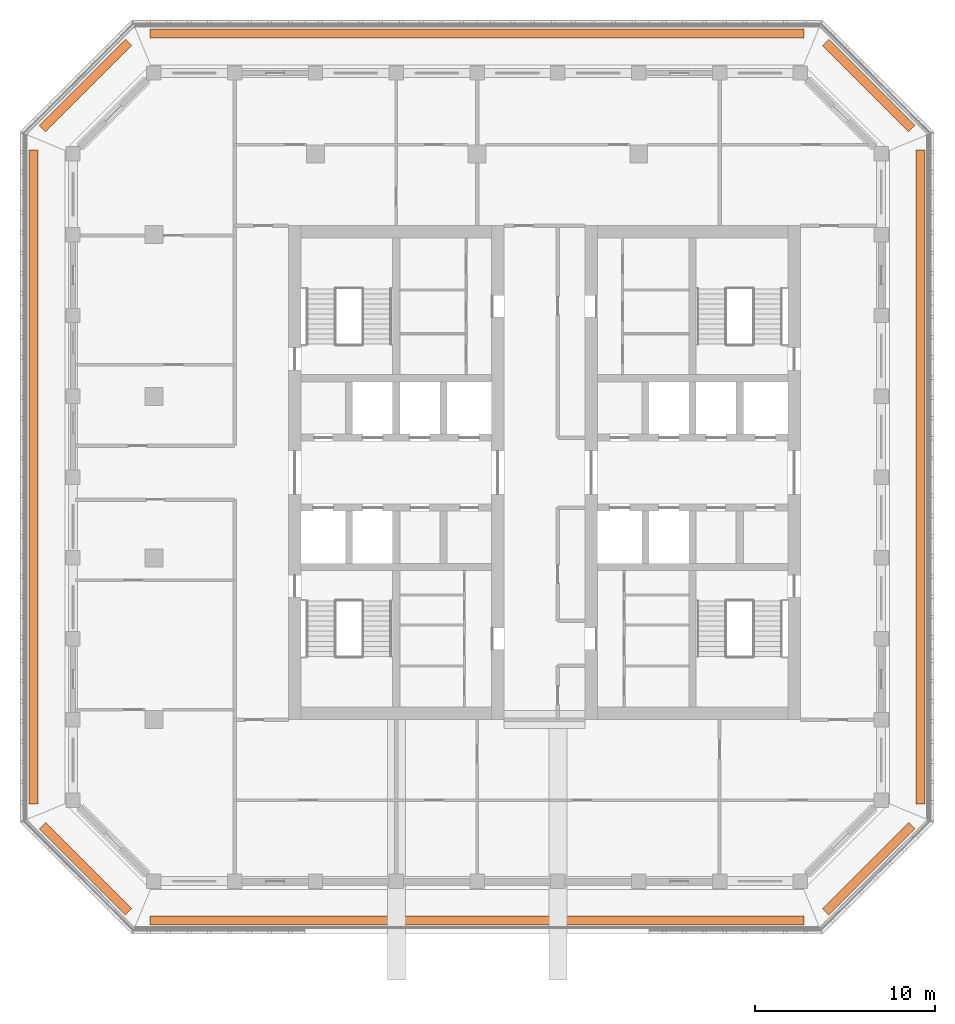
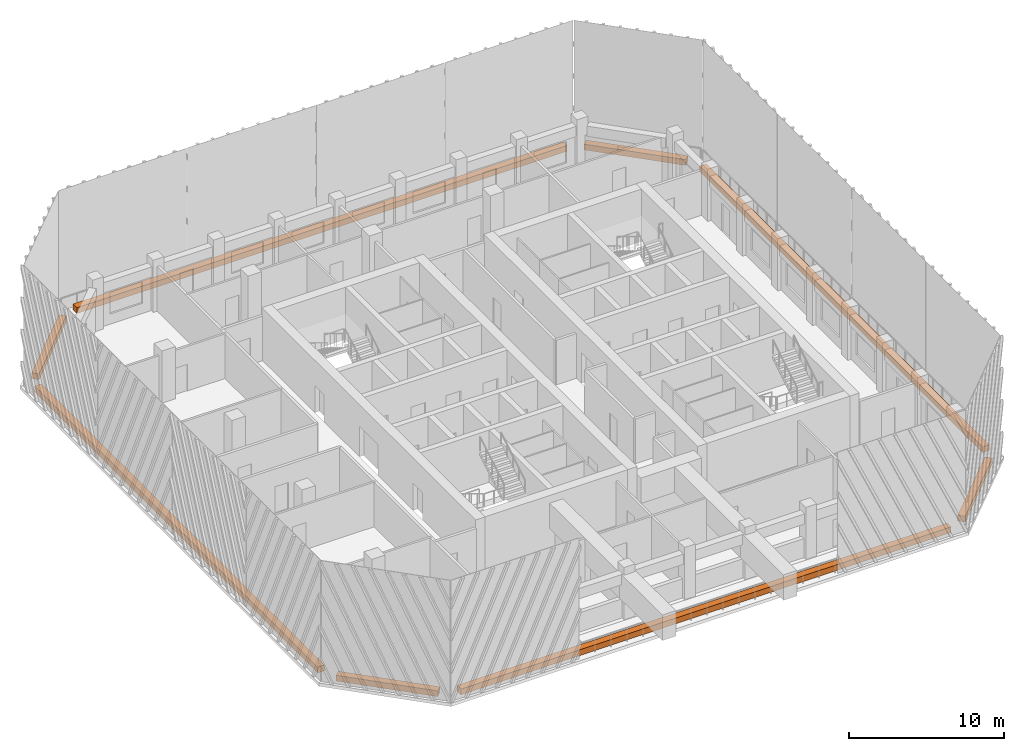
# One storey, part 16 of 16: 8 proxies.
"""IFC4 building model written with IfcOpenShell, lengths in metres."""

from ifc_helpers import new_model, si_unit, direction, frame, origin, origin_2d, place, context, subcontext, project, spatial, rectangle, extrude, material, type_object, element, save


model = new_model("IFC4")

# Units and contexts
model_context = context("Model", 3, precision=1e-05, world=origin(), true_north=direction((0.0, 1.0)))
body_context = subcontext(model_context, "Body", "Model", "MODEL_VIEW")
ifc_project = project(units=[si_unit("LENGTHUNIT", "METRE"), si_unit("AREAUNIT", "SQUARE_METRE"), si_unit("VOLUMEUNIT", "CUBIC_METRE"), si_unit("PLANEANGLEUNIT", "RADIAN"), si_unit("MASSUNIT", "GRAM", prefix="KILO")], contexts=[model_context])

# Site, building, storey
site_placement = place(None, origin())
site = spatial("IfcSite", under=ifc_project, at=site_placement, CompositionType="ELEMENT")
building_placement = place(site_placement, origin())
building = spatial("IfcBuilding", under=site, at=building_placement, Name="Corbel Stack Research Tower", CompositionType="ELEMENT")
storey_placement = place(building_placement, frame((0.0, 0.0, 290.89990234375)))
storey = spatial("IfcBuildingStorey", under=building, at=storey_placement, Name="L66", CompositionType="ELEMENT", Elevation=290.89990234375)

# Proxies
ifc_material = material(Name="Concrete C45/55", Category="concrete")
building_element_proxy_type = type_object("IfcBuildingElementProxyType", Name="Planter box", PredefinedType="USERDEFINED", material=ifc_material)
proxy_1_placement = place(storey_placement, frame((0.0, -20.199951171875, 0.0), z_axis=(0.0, 0.0, 1.0), x_axis=(1.0, 0.0, 0.0)))
element("IfcBuildingElementProxy", 1, at=proxy_1_placement, inside=storey, type_object=building_element_proxy_type, Name="Planter L66 S", ObjectType="PLANTER", PredefinedType="USERDEFINED", context=body_context, shape_type="SweptSolid", body=[
    extrude(rectangle(XDim=36.41064453125, YDim=0.5, at=origin_2d()), origin(), (0.0, 0.0, 1.0), 0.449951171875),
])
proxy_2_placement = place(storey_placement, frame((21.8056640625, -17.3056640625, 0.0), z_axis=(0.0, 0.0, 1.0), x_axis=(0.707106781187, 0.707106781187, 0.0)))
element("IfcBuildingElementProxy", 2, at=proxy_2_placement, inside=storey, type_object=building_element_proxy_type, Name="Planter L66 SE", ObjectType="PLANTER", PredefinedType="USERDEFINED", context=body_context, shape_type="SweptSolid", body=[
    extrude(rectangle(XDim=6.774658203125, YDim=0.5, at=origin_2d()), origin(), (0.0, 0.0, 1.0), 0.449951171875),
])
proxy_3_placement = place(storey_placement, frame((24.699951171875, 4.5, 0.0), z_axis=(0.0, 0.0, 1.0), x_axis=(0.0, 1.0, 0.0)))
element("IfcBuildingElementProxy", 3, at=proxy_3_placement, inside=storey, type_object=building_element_proxy_type, Name="Planter L66 E", ObjectType="PLANTER", PredefinedType="USERDEFINED", context=body_context, shape_type="SweptSolid", body=[
    extrude(rectangle(XDim=36.41064453125, YDim=0.5, at=origin_2d()), origin(), (0.0, 0.0, 1.0), 0.449951171875),
])
proxy_4_placement = place(storey_placement, frame((21.8056640625, 26.3056640625, 0.0), z_axis=(0.0, 0.0, 1.0), x_axis=(-0.707106781187, 0.707106781187, 0.0)))
element("IfcBuildingElementProxy", 4, at=proxy_4_placement, inside=storey, type_object=building_element_proxy_type, Name="Planter L66 NE", ObjectType="PLANTER", PredefinedType="USERDEFINED", context=body_context, shape_type="SweptSolid", body=[
    extrude(rectangle(XDim=6.774658203125, YDim=0.5, at=origin_2d()), origin(), (0.0, 0.0, 1.0), 0.449951171875),
])
proxy_5_placement = place(storey_placement, frame((0.0, 29.199951171875, 0.0), z_axis=(0.0, 0.0, 1.0), x_axis=(-1.0, 0.0, 0.0)))
element("IfcBuildingElementProxy", 5, at=proxy_5_placement, inside=storey, type_object=building_element_proxy_type, Name="Planter L66 N", ObjectType="PLANTER", PredefinedType="USERDEFINED", context=body_context, shape_type="SweptSolid", body=[
    extrude(rectangle(XDim=36.41064453125, YDim=0.5, at=origin_2d()), origin(), (0.0, 0.0, 1.0), 0.449951171875),
])
proxy_6_placement = place(storey_placement, frame((-21.8056640625, 26.3056640625, 0.0), z_axis=(0.0, 0.0, 1.0), x_axis=(-0.707106781187, -0.707106781187, 0.0)))
element("IfcBuildingElementProxy", 6, at=proxy_6_placement, inside=storey, type_object=building_element_proxy_type, Name="Planter L66 NW", ObjectType="PLANTER", PredefinedType="USERDEFINED", context=body_context, shape_type="SweptSolid", body=[
    extrude(rectangle(XDim=6.774658203125, YDim=0.5, at=origin_2d()), origin(), (0.0, 0.0, 1.0), 0.449951171875),
])
proxy_7_placement = place(storey_placement, frame((-24.699951171875, 4.5, 0.0), z_axis=(0.0, 0.0, 1.0), x_axis=(0.0, -1.0, 0.0)))
element("IfcBuildingElementProxy", 7, at=proxy_7_placement, inside=storey, type_object=building_element_proxy_type, Name="Planter L66 W", ObjectType="PLANTER", PredefinedType="USERDEFINED", context=body_context, shape_type="SweptSolid", body=[
    extrude(rectangle(XDim=36.41064453125, YDim=0.5, at=origin_2d()), origin(), (0.0, 0.0, 1.0), 0.449951171875),
])
proxy_8_placement = place(storey_placement, frame((-21.8056640625, -17.3056640625, 0.0), z_axis=(0.0, 0.0, 1.0), x_axis=(0.707106781187, -0.707106781187, 0.0)))
element("IfcBuildingElementProxy", 8, at=proxy_8_placement, inside=storey, type_object=building_element_proxy_type, Name="Planter L66 SW", ObjectType="PLANTER", PredefinedType="USERDEFINED", context=body_context, shape_type="SweptSolid", body=[
    extrude(rectangle(XDim=6.774658203125, YDim=0.5, at=origin_2d()), origin(), (0.0, 0.0, 1.0), 0.449951171875),
])

save(model, "model.ifc")
